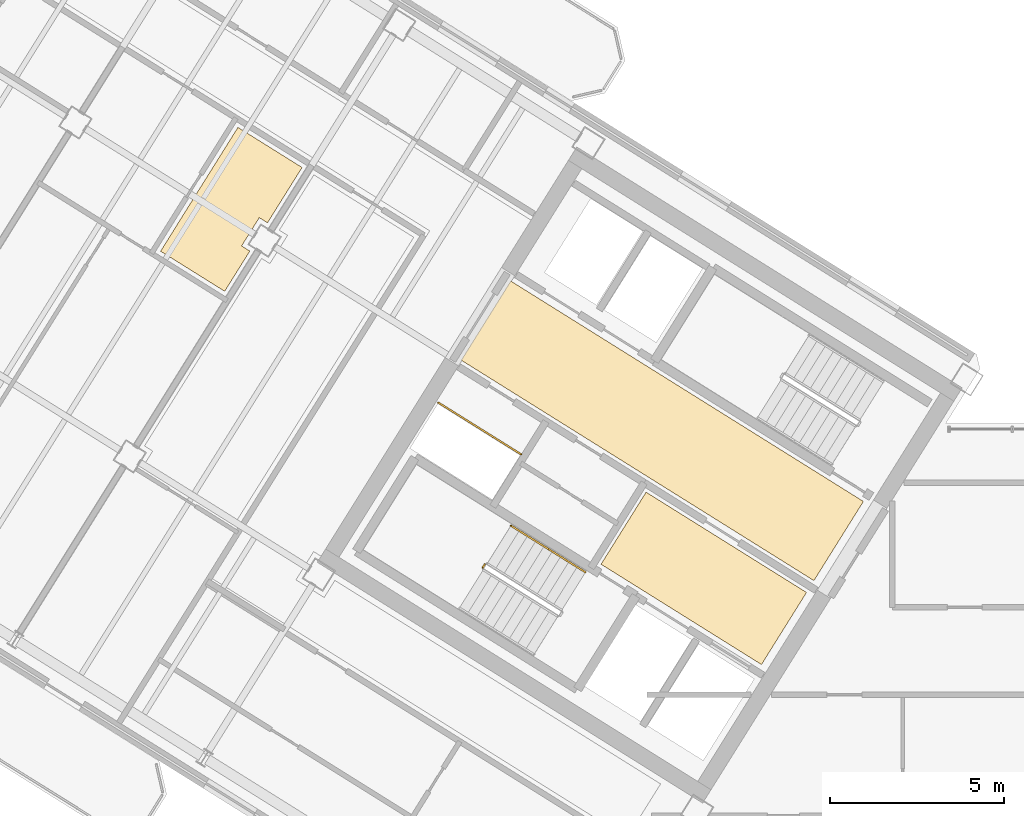
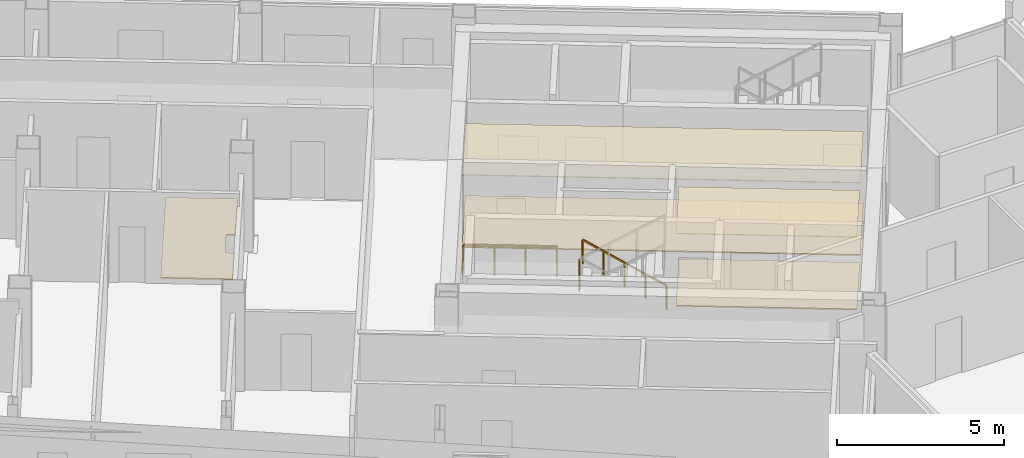
# One storey, part 12 of 14: 5 coverings, 4 railings.
"""IFC4 building model written with IfcOpenShell, lengths in metres."""

from ifc_helpers import new_model, si_unit, direction, frame, origin, origin_2d, place, context, subcontext, project, spatial, polyline, rectangle, outline, extrude, source, transform, mapped, material, layer, layer_set, type_object, element, save


model = new_model("IFC4")

# Units and contexts
model_context = context("Model", 3, precision=1e-05, world=origin(), true_north=direction((0.0, 1.0)))
body_context = subcontext(model_context, "Body", "Model", "MODEL_VIEW")
ifc_project = project(units=[si_unit("LENGTHUNIT", "METRE"), si_unit("AREAUNIT", "SQUARE_METRE"), si_unit("VOLUMEUNIT", "CUBIC_METRE"), si_unit("PLANEANGLEUNIT", "RADIAN"), si_unit("MASSUNIT", "GRAM", prefix="KILO")], contexts=[model_context])

# Site, building, storey
site_placement = place(None, origin())
site = spatial("IfcSite", under=ifc_project, at=site_placement, CompositionType="ELEMENT")
building_placement = place(site_placement, origin())
building = spatial("IfcBuilding", under=site, at=building_placement, Name="Tlacorven Tower", CompositionType="ELEMENT")
storey_placement = place(building_placement, frame((0.0, 0.0, 262.800048828125)))
storey = spatial("IfcBuildingStorey", under=building, at=storey_placement, Name="L66", CompositionType="ELEMENT", Elevation=262.800048828125)

# Coverings
ifc_material_1 = material(Name="Acoustic mineral-fibre ceiling")
ifc_layer_1 = layer(ifc_material_1, 0.02490234375)
ifc_layer_set_1 = layer_set([ifc_layer_1], Name="Acoustic mineral-fibre ceiling")
covering_type_1 = type_object("IfcCoveringType", Name="CV-CLG-ACST", PredefinedType="CEILING", material=ifc_layer_set_1)
covering_1_placement = place(storey_placement, frame((0.0, 0.0, 2.64990234375)))
element("IfcCovering", 1, at=covering_1_placement, inside=storey, type_object=covering_type_1, Name="L66 Acoustic Suspended Ceiling 1", PredefinedType="CEILING", context=body_context, shape_type="SweptSolid", body=[
    extrude(outline(polyline([(36.185302734375, 18.35595703125), (34.892333984375, 16.286865234375), (30.287353515625, 19.164306640625), (31.580322265625, 21.2333984375), (36.185302734375, 18.35595703125)])), origin(), (0.0, 0.0, 1.0), 0.025146484375),
])
covering_2_placement = place(storey_placement, frame((0.0, 0.0, 2.64990234375)))
element("IfcCovering", 2, at=covering_2_placement, inside=storey, type_object=covering_type_1, Name="L66 Acoustic Suspended Ceiling 2", PredefinedType="CEILING", context=body_context, shape_type="SweptSolid", body=[
    extrude(outline(polyline([(37.8173828125, 20.968017578125), (36.397216796875, 18.6953125), (26.271484375, 25.0224609375), (27.691650390625, 27.295166015625), (37.8173828125, 20.968017578125)])), origin(), (0.0, 0.0, 1.0), 0.025146484375),
])
ifc_material_2 = material(Name="Terrazzo and ceramic flooring")
ifc_layer_2 = layer(ifc_material_2, 0.0400390625)
ifc_layer_set_2 = layer_set([ifc_layer_2], Name="Terrazzo and ceramic flooring")
covering_type_2 = type_object("IfcCoveringType", Name="CV-FLR-TERZ", PredefinedType="FLOORING", material=ifc_layer_set_2)
covering_3_placement = place(storey_placement, origin())
element("IfcCovering", 3, at=covering_3_placement, inside=storey, type_object=covering_type_2, Name="L66 Terrazzo Floor Finish 1", PredefinedType="FLOORING", context=body_context, shape_type="SweptSolid", body=[
    extrude(outline(polyline([(36.185302734375, 18.35595703125), (34.892333984375, 16.286865234375), (30.287353515625, 19.164306640625), (31.580322265625, 21.2333984375), (36.185302734375, 18.35595703125)])), origin(), (0.0, 0.0, 1.0), 0.0400390625),
])
covering_4_placement = place(storey_placement, origin())
element("IfcCovering", 4, at=covering_4_placement, inside=storey, type_object=covering_type_2, Name="L66 Terrazzo Floor Finish 2", PredefinedType="FLOORING", context=body_context, shape_type="SweptSolid", body=[
    extrude(outline(polyline([(37.8173828125, 20.968017578125), (36.397216796875, 18.6953125), (26.271484375, 25.0224609375), (27.691650390625, 27.295166015625), (37.8173828125, 20.968017578125)])), origin(), (0.0, 0.0, 1.0), 0.0400390625),
])
covering_5_placement = place(storey_placement, origin())
element("IfcCovering", 5, at=covering_5_placement, inside=storey, type_object=covering_type_2, Name="L66 Porcelain Wet-Room Floor Finish 6", PredefinedType="FLOORING", context=body_context, shape_type="SweptSolid", body=[
    extrude(outline(polyline([(20.7158203125, 28.96337890625), (20.47998046875, 29.11083984375), (19.973388671875, 28.300048828125), (20.209228515625, 28.152587890625), (19.4873046875, 26.99755859375), (17.647216796875, 28.147705078125), (19.867431640625, 31.700927734375), (21.707763671875, 30.551025390625), (20.7158203125, 28.96337890625)])), origin(), (0.0, 0.0, 1.0), 0.0400390625),
])

# Railings
ifc_material_3 = material(Name="Aluminium and painted steel balustrade", Category="steel")
railing_type_1 = type_object("IfcRailingType", Name="RL-GRD-1100", PredefinedType="GUARDRAIL", material=ifc_material_3)
shared_shape_1 = source(origin(), body_context, "Body", "SweptSolid", [
    extrude(rectangle(XDim=0.048095703125, YDim=0.048095703125, at=origin_2d()), frame((0.0, 0.0, 1.076171875), z_axis=(-0.848091358275, 0.529850024081, 0.0), x_axis=(-0.529850024081, -0.848091358275, 0.0)), (0.0, 0.0, 1.0), 2.800048828125),
    extrude(rectangle(XDim=0.0419921875, YDim=0.0419921875, at=origin_2d()), origin(), (0.0, 0.0, 1.0), 1.052001953125),
    extrude(rectangle(XDim=0.0419921875, YDim=0.0419921875, at=origin_2d()), frame((-0.79150390625, 0.49462890625, 0.0)), (0.0, 0.0, 1.0), 1.052001953125),
    extrude(rectangle(XDim=0.0419921875, YDim=0.0419921875, at=origin_2d()), frame((-1.583251953125, 0.989013671875, 0.0)), (0.0, 0.0, 1.0), 1.052001953125),
    extrude(rectangle(XDim=0.0419921875, YDim=0.0419921875, at=origin_2d()), frame((-2.374755859375, 1.483642578125, 0.0)), (0.0, 0.0, 1.0), 1.052001953125),
])
railing_1_placement = place(storey_placement, frame((27.9912109375, 22.32080078125, 0.0)))
element("IfcRailing", 6, at=railing_1_placement, inside=storey, type_object=railing_type_1, Name="L66 Electrical Riser W Shaft Guard 1", PredefinedType="GUARDRAIL", context=body_context, shape_type="MappedRepresentation", body=[
    mapped(shared_shape_1, transform((0.0, 0.0, 0.0), scale=1.0)),
])
shared_shape_2 = source(origin(), body_context, "Body", "SweptSolid", [
    extrude(rectangle(XDim=0.048095703125, YDim=0.048095703125, at=origin_2d()), frame((0.0, 0.0, 1.076171875), z_axis=(-0.530546985787, -0.847655529016, 0.0), x_axis=(0.847655529016, -0.530546985787, 0.0)), (0.0, 0.0, 1.0), 0.1201171875),
    extrude(rectangle(XDim=0.0419921875, YDim=0.0419921875, at=origin_2d()), origin(), (0.0, 0.0, 1.0), 1.052001953125),
    extrude(rectangle(XDim=0.0419921875, YDim=0.0419921875, at=origin_2d()), frame((-0.063720703125, -0.101806640625, 0.0)), (0.0, 0.0, 1.0), 1.052001953125),
])
railing_2_placement = place(storey_placement, frame((26.954833984375, 19.17138671875, 1.800048828125)))
element("IfcRailing", 7, at=railing_2_placement, inside=storey, type_object=railing_type_1, Name="L66 ST-W1 stair guard 2", PredefinedType="GUARDRAIL", context=body_context, shape_type="MappedRepresentation", body=[
    mapped(shared_shape_2, transform((0.0, 0.0, 0.0), scale=1.0)),
])
railing_type_2 = type_object("IfcRailingType", Name="RL-HND-0900", PredefinedType="HANDRAIL", material=ifc_material_3)
shared_shape_3 = source(origin(), body_context, "Body", "SweptSolid", [
    extrude(rectangle(XDim=0.048095703125, YDim=0.048095703125, at=origin_2d()), frame((0.0, 0.0, 0.8759765625), z_axis=(-0.713359751793, 0.4457479829, 0.540764828981), x_axis=(-0.529911857636, -0.848052724267, 0.0)), (0.0, 0.0, 1.0), 1.498046875),
    extrude(rectangle(XDim=0.0419921875, YDim=0.0419921875, at=origin_2d()), origin(), (0.0, 0.0, 1.0), 0.851806640625),
    extrude(rectangle(XDim=0.0419921875, YDim=0.0419921875, at=origin_2d()), frame((-0.5341796875, 0.333984375, 0.405029296875)), (0.0, 0.0, 1.0), 0.851806640625),
    extrude(rectangle(XDim=0.0419921875, YDim=0.0419921875, at=origin_2d()), frame((-1.068603515625, 0.667724609375, 0.81005859375)), (0.0, 0.0, 1.0), 0.851806640625),
])
for number, where, name in (
    (8, (29.839111328125, 18.937255859375, 0.179931640625), "L66 ST-W1 stair handrail 1"),
    (9, (28.7705078125, 19.60498046875, 0.989990234375), "L66 ST-W1 stair handrail 2"),
):
    element("IfcRailing", number, at=place(storey_placement, frame(where)), inside=storey, type_object=railing_type_2, Name=name, PredefinedType="HANDRAIL", context=body_context, shape_type="MappedRepresentation", body=[
        mapped(shared_shape_3, transform((0.0, 0.0, 0.0), scale=1.0)),
    ])

save(model, "model.ifc")
